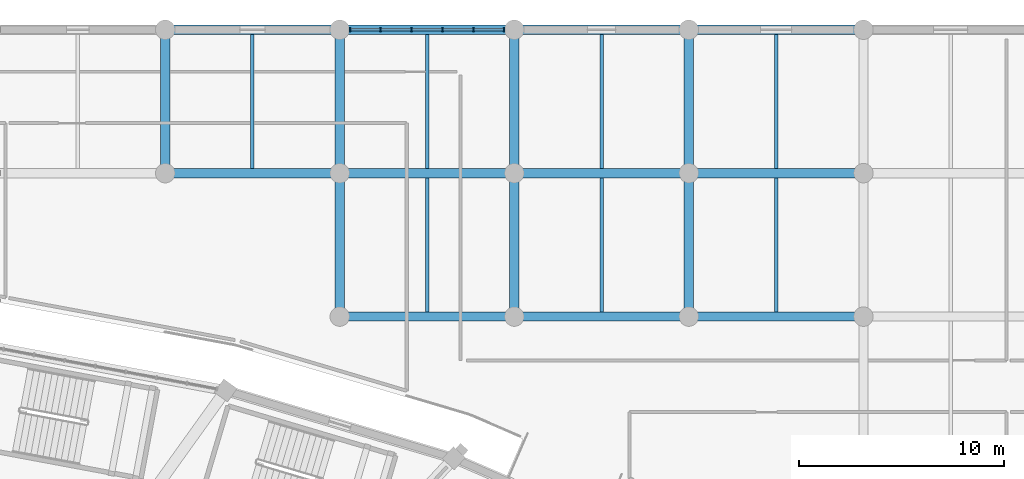
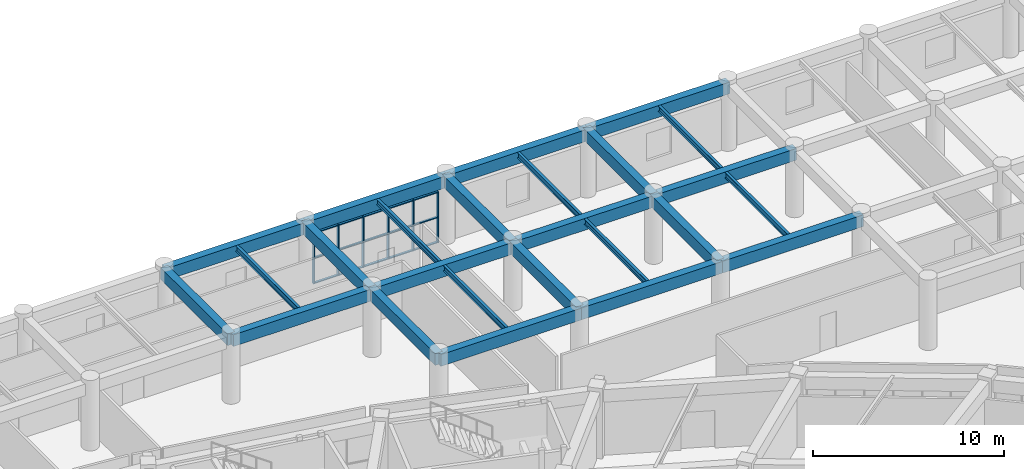
# One storey, part 74 of 145: 25 beams, 21 members, 1 element without a shape of its own.
"""IFC4 building model written with IfcOpenShell, lengths in metres."""

from ifc_helpers import new_model, si_unit, direction, frame, origin, origin_2d, place, context, subcontext, project, spatial, rectangle, i_section, extrude, material, layer, layer_set, material_profile, profile_set, type_object, element, aggregate, save


model = new_model("IFC4")

# Units and contexts
model_context = context("Model", 3, precision=1e-05, world=origin(), true_north=direction((0.0, 1.0)))
body_context = subcontext(model_context, "Body", "Model", "MODEL_VIEW")
ifc_project = project(units=[si_unit("LENGTHUNIT", "METRE"), si_unit("AREAUNIT", "SQUARE_METRE"), si_unit("VOLUMEUNIT", "CUBIC_METRE"), si_unit("PLANEANGLEUNIT", "RADIAN"), si_unit("MASSUNIT", "GRAM", prefix="KILO")], contexts=[model_context])

# Site, building, storey
site_placement = place(None, origin())
site = spatial("IfcSite", under=ifc_project, at=site_placement, CompositionType="ELEMENT")
building_placement = place(site_placement, origin())
building = spatial("IfcBuilding", under=site, at=building_placement, Name="Mphavela Belvedere Stadium", CompositionType="ELEMENT")
storey_placement = place(building_placement, frame((0.0, 0.0, 10.199951171875)))
storey = spatial("IfcBuildingStorey", under=building, at=storey_placement, Name="L02", CompositionType="ELEMENT", Elevation=10.199951171875)

# Beams
ifc_material_1 = material(Name="Steel S355", Category="steel")
ifc_material_profile_1 = material_profile(ifc_material_1, i_section(OverallWidth=0.169921875, OverallDepth=0.360107421875, WebThickness=0.008056640625, FlangeThickness=0.0126953125, at=origin_2d()), Name="IPE 360")
ifc_profile_set_1 = profile_set([ifc_material_profile_1], Name="Steel S355")
beam_type_1 = type_object("IfcBeamType", Name="BM-JOIST-IPE360", PredefinedType="JOIST", material=ifc_profile_set_1)
for number, where, z_axis, x_axis, name in (
    (1, (166.111083984375, 167.22509765625, 4.06005859375), (0.0, 1.0, 0.0), (-1.0, 0.0, 0.0), "North Mast and Ceremonial End Forecourt secondary joist L02 20-7"),
    (2, (174.62939453125, 160.22509765625, 4.06005859375), (0.0, 1.0, 0.0), (-1.0, 0.0, 0.0), "North Mast and Ceremonial End Forecourt secondary joist L02 21-6"),
    (3, (174.62939453125, 167.22509765625, 4.06005859375), (0.0, 1.0, 0.0), (-1.0, 0.0, 0.0), "North Mast and Ceremonial End Forecourt secondary joist L02 21-7"),
    (4, (183.14794921875, 160.22509765625, 4.06005859375), (0.0, 1.0, 0.0), (-1.0, 0.0, 0.0), "North Mast and Ceremonial End Forecourt secondary joist L02 22-6"),
    (5, (183.14794921875, 167.22509765625, 4.06005859375), (0.0, 1.0, 0.0), (-1.0, 0.0, 0.0), "North Mast and Ceremonial End Forecourt secondary joist L02 22-7"),
    (6, (191.66650390625, 160.22509765625, 4.06005859375), (0.0, 1.0, 0.0), (-1.0, 0.0, 0.0), "North Mast and Ceremonial End Forecourt secondary joist L02 23-6"),
    (7, (191.66650390625, 167.22509765625, 4.06005859375), (0.0, 1.0, 0.0), (-1.0, 0.0, 0.0), "North Mast and Ceremonial End Forecourt secondary joist L02 23-7"),
):
    element("IfcBeam", number, at=place(storey_placement, frame(where, z_axis=z_axis, x_axis=x_axis)), inside=storey, type_object=beam_type_1, Name=name, PredefinedType="JOIST", context=body_context, shape_type="SweptSolid", body=[
        extrude(i_section(OverallWidth=0.169921875, OverallDepth=0.360107421875, WebThickness=0.008056640625, FlangeThickness=0.0126953125, at=origin_2d()), origin(), (0.0, 0.0, 1.0), 6.5498046875),
    ])
ifc_material_2 = material(Name="Concrete C40/50", Category="concrete")
ifc_material_profile_2 = material_profile(ifc_material_2, rectangle(XDim=0.449951171875, YDim=0.75, at=origin_2d()), Name="RC 450x750")
ifc_profile_set_2 = profile_set([ifc_material_profile_2], Name="Concrete C40/50")
beam_type_2 = type_object("IfcBeamType", Name="BM-RC450x750", PredefinedType="BEAM", material=ifc_profile_set_2)
beam_1_placement = place(storey_placement, frame((161.85205078125, 167.0, 3.864990234375), z_axis=(1.0, 0.0, 0.0), x_axis=(0.0, 1.0, 0.0)))
element("IfcBeam", 8, at=beam_1_placement, inside=storey, type_object=beam_type_2, Name="North Mast and Ceremonial End Forecourt entablature beam X L02 20-7", PredefinedType="BEAM", context=body_context, shape_type="SweptSolid", body=[
    extrude(rectangle(XDim=0.449951171875, YDim=0.75, at=origin_2d()), origin(), (0.0, 0.0, 1.0), 8.51806640625),
])
beam_2_placement = place(storey_placement, frame((161.85205078125, 167.0, 3.864990234375), z_axis=(0.0, 1.0, 0.0), x_axis=(-1.0, 0.0, 0.0)))
element("IfcBeam", 9, at=beam_2_placement, inside=storey, type_object=beam_type_2, Name="North Mast and Ceremonial End Forecourt entablature beam Y L02 20-7", PredefinedType="BEAM", context=body_context, shape_type="SweptSolid", body=[
    extrude(rectangle(XDim=0.449951171875, YDim=0.75, at=origin_2d()), origin(), (0.0, 0.0, 1.0), 7.0),
])
beam_3_placement = place(storey_placement, frame((161.85205078125, 174.0, 3.864990234375), z_axis=(1.0, 0.0, 0.0), x_axis=(0.0, 1.0, 0.0)))
element("IfcBeam", 10, at=beam_3_placement, inside=storey, type_object=beam_type_2, Name="North Mast and Ceremonial End Forecourt entablature beam X L02 20-8", PredefinedType="BEAM", context=body_context, shape_type="SweptSolid", body=[
    extrude(rectangle(XDim=0.449951171875, YDim=0.75, at=origin_2d()), origin(), (0.0, 0.0, 1.0), 8.51806640625),
])
beam_4_placement = place(storey_placement, frame((170.3701171875, 160.0, 3.864990234375), z_axis=(1.0, 0.0, 0.0), x_axis=(0.0, 1.0, 0.0)))
element("IfcBeam", 11, at=beam_4_placement, inside=storey, type_object=beam_type_2, Name="North Mast and Ceremonial End Forecourt entablature beam X L02 21-6", PredefinedType="BEAM", context=body_context, shape_type="SweptSolid", body=[
    extrude(rectangle(XDim=0.449951171875, YDim=0.75, at=origin_2d()), origin(), (0.0, 0.0, 1.0), 8.518798828125),
])
beam_5_placement = place(storey_placement, frame((170.3701171875, 160.0, 3.864990234375), z_axis=(0.0, 1.0, 0.0), x_axis=(-1.0, 0.0, 0.0)))
element("IfcBeam", 12, at=beam_5_placement, inside=storey, type_object=beam_type_2, Name="North Mast and Ceremonial End Forecourt entablature beam Y L02 21-6", PredefinedType="BEAM", context=body_context, shape_type="SweptSolid", body=[
    extrude(rectangle(XDim=0.449951171875, YDim=0.75, at=origin_2d()), origin(), (0.0, 0.0, 1.0), 7.0),
])
beam_6_placement = place(storey_placement, frame((170.3701171875, 167.0, 3.864990234375), z_axis=(1.0, 0.0, 0.0), x_axis=(0.0, 1.0, 0.0)))
element("IfcBeam", 13, at=beam_6_placement, inside=storey, type_object=beam_type_2, Name="North Mast and Ceremonial End Forecourt entablature beam X L02 21-7", PredefinedType="BEAM", context=body_context, shape_type="SweptSolid", body=[
    extrude(rectangle(XDim=0.449951171875, YDim=0.75, at=origin_2d()), origin(), (0.0, 0.0, 1.0), 8.518798828125),
])
beam_7_placement = place(storey_placement, frame((170.3701171875, 167.0, 3.864990234375), z_axis=(0.0, 1.0, 0.0), x_axis=(-1.0, 0.0, 0.0)))
element("IfcBeam", 14, at=beam_7_placement, inside=storey, type_object=beam_type_2, Name="North Mast and Ceremonial End Forecourt entablature beam Y L02 21-7", PredefinedType="BEAM", context=body_context, shape_type="SweptSolid", body=[
    extrude(rectangle(XDim=0.449951171875, YDim=0.75, at=origin_2d()), origin(), (0.0, 0.0, 1.0), 7.0),
])
beam_8_placement = place(storey_placement, frame((170.3701171875, 174.0, 3.864990234375), z_axis=(1.0, 0.0, 0.0), x_axis=(0.0, 1.0, 0.0)))
element("IfcBeam", 15, at=beam_8_placement, inside=storey, type_object=beam_type_2, Name="North Mast and Ceremonial End Forecourt entablature beam X L02 21-8", PredefinedType="BEAM", context=body_context, shape_type="SweptSolid", body=[
    extrude(rectangle(XDim=0.449951171875, YDim=0.75, at=origin_2d()), origin(), (0.0, 0.0, 1.0), 8.518798828125),
])
beam_9_placement = place(storey_placement, frame((178.888916015625, 160.0, 3.864990234375), z_axis=(1.0, 0.0, 0.0), x_axis=(0.0, 1.0, 0.0)))
element("IfcBeam", 16, at=beam_9_placement, inside=storey, type_object=beam_type_2, Name="North Mast and Ceremonial End Forecourt entablature beam X L02 22-6", PredefinedType="BEAM", context=body_context, shape_type="SweptSolid", body=[
    extrude(rectangle(XDim=0.449951171875, YDim=0.75, at=origin_2d()), origin(), (0.0, 0.0, 1.0), 8.51806640625),
])
beam_10_placement = place(storey_placement, frame((178.888916015625, 160.0, 3.864990234375), z_axis=(0.0, 1.0, 0.0), x_axis=(-1.0, 0.0, 0.0)))
element("IfcBeam", 17, at=beam_10_placement, inside=storey, type_object=beam_type_2, Name="North Mast and Ceremonial End Forecourt entablature beam Y L02 22-6", PredefinedType="BEAM", context=body_context, shape_type="SweptSolid", body=[
    extrude(rectangle(XDim=0.449951171875, YDim=0.75, at=origin_2d()), origin(), (0.0, 0.0, 1.0), 7.0),
])
beam_11_placement = place(storey_placement, frame((178.888916015625, 167.0, 3.864990234375), z_axis=(1.0, 0.0, 0.0), x_axis=(0.0, 1.0, 0.0)))
element("IfcBeam", 18, at=beam_11_placement, inside=storey, type_object=beam_type_2, Name="North Mast and Ceremonial End Forecourt entablature beam X L02 22-7", PredefinedType="BEAM", context=body_context, shape_type="SweptSolid", body=[
    extrude(rectangle(XDim=0.449951171875, YDim=0.75, at=origin_2d()), origin(), (0.0, 0.0, 1.0), 8.51806640625),
])
beam_12_placement = place(storey_placement, frame((178.888916015625, 167.0, 3.864990234375), z_axis=(0.0, 1.0, 0.0), x_axis=(-1.0, 0.0, 0.0)))
element("IfcBeam", 19, at=beam_12_placement, inside=storey, type_object=beam_type_2, Name="North Mast and Ceremonial End Forecourt entablature beam Y L02 22-7", PredefinedType="BEAM", context=body_context, shape_type="SweptSolid", body=[
    extrude(rectangle(XDim=0.449951171875, YDim=0.75, at=origin_2d()), origin(), (0.0, 0.0, 1.0), 7.0),
])
beam_13_placement = place(storey_placement, frame((178.888916015625, 174.0, 3.864990234375), z_axis=(1.0, 0.0, 0.0), x_axis=(0.0, 1.0, 0.0)))
element("IfcBeam", 20, at=beam_13_placement, inside=storey, type_object=beam_type_2, Name="North Mast and Ceremonial End Forecourt entablature beam X L02 22-8", PredefinedType="BEAM", context=body_context, shape_type="SweptSolid", body=[
    extrude(rectangle(XDim=0.449951171875, YDim=0.75, at=origin_2d()), origin(), (0.0, 0.0, 1.0), 8.51806640625),
])
beam_14_placement = place(storey_placement, frame((187.406982421875, 160.0, 3.864990234375), z_axis=(1.0, 0.0, 0.0), x_axis=(0.0, 1.0, 0.0)))
element("IfcBeam", 21, at=beam_14_placement, inside=storey, type_object=beam_type_2, Name="North Mast and Ceremonial End Forecourt entablature beam X L02 23-6", PredefinedType="BEAM", context=body_context, shape_type="SweptSolid", body=[
    extrude(rectangle(XDim=0.449951171875, YDim=0.75, at=origin_2d()), origin(), (0.0, 0.0, 1.0), 8.51904296875),
])
beam_15_placement = place(storey_placement, frame((187.406982421875, 160.0, 3.864990234375), z_axis=(0.0, 1.0, 0.0), x_axis=(-1.0, 0.0, 0.0)))
element("IfcBeam", 22, at=beam_15_placement, inside=storey, type_object=beam_type_2, Name="North Mast and Ceremonial End Forecourt entablature beam Y L02 23-6", PredefinedType="BEAM", context=body_context, shape_type="SweptSolid", body=[
    extrude(rectangle(XDim=0.449951171875, YDim=0.75, at=origin_2d()), origin(), (0.0, 0.0, 1.0), 7.0),
])
beam_16_placement = place(storey_placement, frame((187.406982421875, 167.0, 3.864990234375), z_axis=(1.0, 0.0, 0.0), x_axis=(0.0, 1.0, 0.0)))
element("IfcBeam", 23, at=beam_16_placement, inside=storey, type_object=beam_type_2, Name="North Mast and Ceremonial End Forecourt entablature beam X L02 23-7", PredefinedType="BEAM", context=body_context, shape_type="SweptSolid", body=[
    extrude(rectangle(XDim=0.449951171875, YDim=0.75, at=origin_2d()), origin(), (0.0, 0.0, 1.0), 8.51904296875),
])
beam_17_placement = place(storey_placement, frame((187.406982421875, 167.0, 3.864990234375), z_axis=(0.0, 1.0, 0.0), x_axis=(-1.0, 0.0, 0.0)))
element("IfcBeam", 24, at=beam_17_placement, inside=storey, type_object=beam_type_2, Name="North Mast and Ceremonial End Forecourt entablature beam Y L02 23-7", PredefinedType="BEAM", context=body_context, shape_type="SweptSolid", body=[
    extrude(rectangle(XDim=0.449951171875, YDim=0.75, at=origin_2d()), origin(), (0.0, 0.0, 1.0), 7.0),
])
beam_18_placement = place(storey_placement, frame((187.406982421875, 174.0, 3.864990234375), z_axis=(1.0, 0.0, 0.0), x_axis=(0.0, 1.0, 0.0)))
element("IfcBeam", 25, at=beam_18_placement, inside=storey, type_object=beam_type_2, Name="North Mast and Ceremonial End Forecourt entablature beam X L02 23-8", PredefinedType="BEAM", context=body_context, shape_type="SweptSolid", body=[
    extrude(rectangle(XDim=0.449951171875, YDim=0.75, at=origin_2d()), origin(), (0.0, 0.0, 1.0), 8.51904296875),
])

# Curtain wall, members
ifc_material_3 = material(Name="Anodised bronze unitised curtain wall framing")
ifc_layer = layer(ifc_material_3, 0.205078125)
ifc_layer_set = layer_set([ifc_layer], Name="Anodised bronze unitised curtain wall framing")
curtain_wall_type = type_object("IfcCurtainWallType", Name="CW-UNIT-06", PredefinedType="USERDEFINED", material=ifc_layer_set)
curtain_wall_placement = place(storey_placement, origin())
curtain_wall = element("IfcCurtainWall", 26, at=curtain_wall_placement, inside=storey, type_object=curtain_wall_type, Name="North Mast and Ceremonial End Forecourt gallery curtain wall L02-21", ObjectType="UNITISED CURTAIN WALL", PredefinedType="USERDEFINED")
ifc_material_4 = material(Name="Anodised bronze extruded aluminium", Category="aluminium")
ifc_material_profile_3 = material_profile(ifc_material_4, rectangle(XDim=0.179931640625, YDim=0.06494140625, at=origin_2d()), Name="CW-MUL 180x65")
ifc_profile_set_3 = profile_set([ifc_material_profile_3], Name="Anodised bronze extruded aluminium")
member_type_1 = type_object("IfcMemberType", Name="CWM-180x65", PredefinedType="MULLION", material=ifc_profile_set_3)
member_1_placement = place(storey_placement, frame((170.87548828125, 174.0, 0.0), z_axis=(0.0, 0.0, 1.0), x_axis=(0.0, 1.0, 0.0)))
member_1 = element("IfcMember", 27, at=member_1_placement, type_object=member_type_1, Name="CW-06 mullion 1", PredefinedType="MULLION", context=body_context, shape_type="SweptSolid", body=[
    extrude(rectangle(XDim=0.179931640625, YDim=0.06494140625, at=origin_2d()), origin(), (0.0, 0.0, 1.0), 3.260009765625),
])
member_2_placement = place(storey_placement, frame((172.357666015625, 174.0, 0.0), z_axis=(0.0, 0.0, 1.0), x_axis=(0.0, 1.0, 0.0)))
member_2 = element("IfcMember", 28, at=member_2_placement, type_object=member_type_1, Name="CW-06 mullion 2", PredefinedType="MULLION", context=body_context, shape_type="SweptSolid", body=[
    extrude(rectangle(XDim=0.179931640625, YDim=0.06494140625, at=origin_2d()), origin(), (0.0, 0.0, 1.0), 3.260009765625),
])
member_3_placement = place(storey_placement, frame((173.872314453125, 174.0, 0.0), z_axis=(0.0, 0.0, 1.0), x_axis=(0.0, 1.0, 0.0)))
member_3 = element("IfcMember", 29, at=member_3_placement, type_object=member_type_1, Name="CW-06 mullion 3", PredefinedType="MULLION", context=body_context, shape_type="SweptSolid", body=[
    extrude(rectangle(XDim=0.179931640625, YDim=0.06494140625, at=origin_2d()), origin(), (0.0, 0.0, 1.0), 3.260009765625),
])
member_4_placement = place(storey_placement, frame((175.38671875, 174.0, 0.0), z_axis=(0.0, 0.0, 1.0), x_axis=(0.0, 1.0, 0.0)))
member_4 = element("IfcMember", 30, at=member_4_placement, type_object=member_type_1, Name="CW-06 mullion 4", PredefinedType="MULLION", context=body_context, shape_type="SweptSolid", body=[
    extrude(rectangle(XDim=0.179931640625, YDim=0.06494140625, at=origin_2d()), origin(), (0.0, 0.0, 1.0), 3.260009765625),
])
member_5_placement = place(storey_placement, frame((176.9013671875, 174.0, 0.0), z_axis=(0.0, 0.0, 1.0), x_axis=(0.0, 1.0, 0.0)))
member_5 = element("IfcMember", 31, at=member_5_placement, type_object=member_type_1, Name="CW-06 mullion 5", PredefinedType="MULLION", context=body_context, shape_type="SweptSolid", body=[
    extrude(rectangle(XDim=0.179931640625, YDim=0.06494140625, at=origin_2d()), origin(), (0.0, 0.0, 1.0), 3.260009765625),
])
member_6_placement = place(storey_placement, frame((178.383544921875, 174.0, 0.0), z_axis=(0.0, 0.0, 1.0), x_axis=(0.0, 1.0, 0.0)))
member_6 = element("IfcMember", 32, at=member_6_placement, type_object=member_type_1, Name="CW-06 mullion 6", PredefinedType="MULLION", context=body_context, shape_type="SweptSolid", body=[
    extrude(rectangle(XDim=0.179931640625, YDim=0.06494140625, at=origin_2d()), origin(), (0.0, 0.0, 1.0), 3.260009765625),
])
ifc_material_5 = material(Name="Anodised bronze extruded aluminium", Category="aluminium")
ifc_material_profile_4 = material_profile(ifc_material_5, rectangle(XDim=0.139892578125, YDim=0.06005859375, at=origin_2d()), Name="CW-TRN 140x60")
ifc_profile_set_4 = profile_set([ifc_material_profile_4], Name="Anodised bronze extruded aluminium")
member_type_2 = type_object("IfcMemberType", Name="CWT-140x60", PredefinedType="USERDEFINED", material=ifc_profile_set_4)
member_7_placement = place(storey_placement, frame((170.907958984375, 174.0, 0.030029296875), z_axis=(1.0, 0.0, 0.0), x_axis=(0.0, 1.0, 0.0)))
member_7 = element("IfcMember", 33, at=member_7_placement, type_object=member_type_2, Name="CW-06 transom 1.1", ObjectType="TRANSOM", PredefinedType="USERDEFINED", context=body_context, shape_type="SweptSolid", body=[
    extrude(rectangle(XDim=0.139892578125, YDim=0.06005859375, at=origin_2d()), origin(), (0.0, 0.0, 1.0), 1.417236328125),
])
member_8_placement = place(storey_placement, frame((170.907958984375, 174.0, 1.630126953125), z_axis=(1.0, 0.0, 0.0), x_axis=(0.0, 1.0, 0.0)))
member_8 = element("IfcMember", 34, at=member_8_placement, type_object=member_type_2, Name="CW-06 transom 1.2", ObjectType="TRANSOM", PredefinedType="USERDEFINED", context=body_context, shape_type="SweptSolid", body=[
    extrude(rectangle(XDim=0.139892578125, YDim=0.06005859375, at=origin_2d()), origin(), (0.0, 0.0, 1.0), 1.417236328125),
])
member_9_placement = place(storey_placement, frame((170.907958984375, 174.0, 3.22998046875), z_axis=(1.0, 0.0, 0.0), x_axis=(0.0, 1.0, 0.0)))
member_9 = element("IfcMember", 35, at=member_9_placement, type_object=member_type_2, Name="CW-06 transom 1.3", ObjectType="TRANSOM", PredefinedType="USERDEFINED", context=body_context, shape_type="SweptSolid", body=[
    extrude(rectangle(XDim=0.139892578125, YDim=0.06005859375, at=origin_2d()), origin(), (0.0, 0.0, 1.0), 1.417236328125),
])
member_10_placement = place(storey_placement, frame((172.39013671875, 174.0, 0.030029296875), z_axis=(1.0, 0.0, 0.0), x_axis=(0.0, 1.0, 0.0)))
member_10 = element("IfcMember", 36, at=member_10_placement, type_object=member_type_2, Name="CW-06 transom 2.1", ObjectType="TRANSOM", PredefinedType="USERDEFINED", context=body_context, shape_type="SweptSolid", body=[
    extrude(rectangle(XDim=0.139892578125, YDim=0.06005859375, at=origin_2d()), origin(), (0.0, 0.0, 1.0), 1.449462890625),
])
member_11_placement = place(storey_placement, frame((172.39013671875, 174.0, 1.630126953125), z_axis=(1.0, 0.0, 0.0), x_axis=(0.0, 1.0, 0.0)))
member_11 = element("IfcMember", 37, at=member_11_placement, type_object=member_type_2, Name="CW-06 transom 2.2", ObjectType="TRANSOM", PredefinedType="USERDEFINED", context=body_context, shape_type="SweptSolid", body=[
    extrude(rectangle(XDim=0.139892578125, YDim=0.06005859375, at=origin_2d()), origin(), (0.0, 0.0, 1.0), 1.449462890625),
])
member_12_placement = place(storey_placement, frame((172.39013671875, 174.0, 3.22998046875), z_axis=(1.0, 0.0, 0.0), x_axis=(0.0, 1.0, 0.0)))
member_12 = element("IfcMember", 38, at=member_12_placement, type_object=member_type_2, Name="CW-06 transom 2.3", ObjectType="TRANSOM", PredefinedType="USERDEFINED", context=body_context, shape_type="SweptSolid", body=[
    extrude(rectangle(XDim=0.139892578125, YDim=0.06005859375, at=origin_2d()), origin(), (0.0, 0.0, 1.0), 1.449462890625),
])
member_13_placement = place(storey_placement, frame((173.90478515625, 174.0, 0.030029296875), z_axis=(1.0, 0.0, 0.0), x_axis=(0.0, 1.0, 0.0)))
member_13 = element("IfcMember", 39, at=member_13_placement, type_object=member_type_2, Name="CW-06 transom 3.1", ObjectType="TRANSOM", PredefinedType="USERDEFINED", context=body_context, shape_type="SweptSolid", body=[
    extrude(rectangle(XDim=0.139892578125, YDim=0.06005859375, at=origin_2d()), origin(), (0.0, 0.0, 1.0), 1.449462890625),
])
member_14_placement = place(storey_placement, frame((173.90478515625, 174.0, 1.630126953125), z_axis=(1.0, 0.0, 0.0), x_axis=(0.0, 1.0, 0.0)))
member_14 = element("IfcMember", 40, at=member_14_placement, type_object=member_type_2, Name="CW-06 transom 3.2", ObjectType="TRANSOM", PredefinedType="USERDEFINED", context=body_context, shape_type="SweptSolid", body=[
    extrude(rectangle(XDim=0.139892578125, YDim=0.06005859375, at=origin_2d()), origin(), (0.0, 0.0, 1.0), 1.449462890625),
])
member_15_placement = place(storey_placement, frame((173.90478515625, 174.0, 3.22998046875), z_axis=(1.0, 0.0, 0.0), x_axis=(0.0, 1.0, 0.0)))
member_15 = element("IfcMember", 41, at=member_15_placement, type_object=member_type_2, Name="CW-06 transom 3.3", ObjectType="TRANSOM", PredefinedType="USERDEFINED", context=body_context, shape_type="SweptSolid", body=[
    extrude(rectangle(XDim=0.139892578125, YDim=0.06005859375, at=origin_2d()), origin(), (0.0, 0.0, 1.0), 1.449462890625),
])
member_16_placement = place(storey_placement, frame((175.419189453125, 174.0, 0.030029296875), z_axis=(1.0, 0.0, 0.0), x_axis=(0.0, 1.0, 0.0)))
member_16 = element("IfcMember", 42, at=member_16_placement, type_object=member_type_2, Name="CW-06 transom 4.1", ObjectType="TRANSOM", PredefinedType="USERDEFINED", context=body_context, shape_type="SweptSolid", body=[
    extrude(rectangle(XDim=0.139892578125, YDim=0.06005859375, at=origin_2d()), origin(), (0.0, 0.0, 1.0), 1.44970703125),
])
member_17_placement = place(storey_placement, frame((175.419189453125, 174.0, 1.630126953125), z_axis=(1.0, 0.0, 0.0), x_axis=(0.0, 1.0, 0.0)))
member_17 = element("IfcMember", 43, at=member_17_placement, type_object=member_type_2, Name="CW-06 transom 4.2", ObjectType="TRANSOM", PredefinedType="USERDEFINED", context=body_context, shape_type="SweptSolid", body=[
    extrude(rectangle(XDim=0.139892578125, YDim=0.06005859375, at=origin_2d()), origin(), (0.0, 0.0, 1.0), 1.44970703125),
])
member_18_placement = place(storey_placement, frame((175.419189453125, 174.0, 3.22998046875), z_axis=(1.0, 0.0, 0.0), x_axis=(0.0, 1.0, 0.0)))
member_18 = element("IfcMember", 44, at=member_18_placement, type_object=member_type_2, Name="CW-06 transom 4.3", ObjectType="TRANSOM", PredefinedType="USERDEFINED", context=body_context, shape_type="SweptSolid", body=[
    extrude(rectangle(XDim=0.139892578125, YDim=0.06005859375, at=origin_2d()), origin(), (0.0, 0.0, 1.0), 1.44970703125),
])
member_19_placement = place(storey_placement, frame((176.933837890625, 174.0, 0.030029296875), z_axis=(1.0, 0.0, 0.0), x_axis=(0.0, 1.0, 0.0)))
member_19 = element("IfcMember", 45, at=member_19_placement, type_object=member_type_2, Name="CW-06 transom 5.1", ObjectType="TRANSOM", PredefinedType="USERDEFINED", context=body_context, shape_type="SweptSolid", body=[
    extrude(rectangle(XDim=0.139892578125, YDim=0.06005859375, at=origin_2d()), origin(), (0.0, 0.0, 1.0), 1.417236328125),
])
member_20_placement = place(storey_placement, frame((176.933837890625, 174.0, 1.630126953125), z_axis=(1.0, 0.0, 0.0), x_axis=(0.0, 1.0, 0.0)))
member_20 = element("IfcMember", 46, at=member_20_placement, type_object=member_type_2, Name="CW-06 transom 5.2", ObjectType="TRANSOM", PredefinedType="USERDEFINED", context=body_context, shape_type="SweptSolid", body=[
    extrude(rectangle(XDim=0.139892578125, YDim=0.06005859375, at=origin_2d()), origin(), (0.0, 0.0, 1.0), 1.417236328125),
])
member_21_placement = place(storey_placement, frame((176.933837890625, 174.0, 3.22998046875), z_axis=(1.0, 0.0, 0.0), x_axis=(0.0, 1.0, 0.0)))
member_21 = element("IfcMember", 47, at=member_21_placement, type_object=member_type_2, Name="CW-06 transom 5.3", ObjectType="TRANSOM", PredefinedType="USERDEFINED", context=body_context, shape_type="SweptSolid", body=[
    extrude(rectangle(XDim=0.139892578125, YDim=0.06005859375, at=origin_2d()), origin(), (0.0, 0.0, 1.0), 1.417236328125),
])
aggregate(curtain_wall, [member_1, member_2, member_3, member_4, member_5, member_6, member_7, member_8, member_9, member_10, member_11, member_12, member_13, member_14, member_15, member_16, member_17, member_18, member_19, member_20, member_21])

save(model, "model.ifc")
